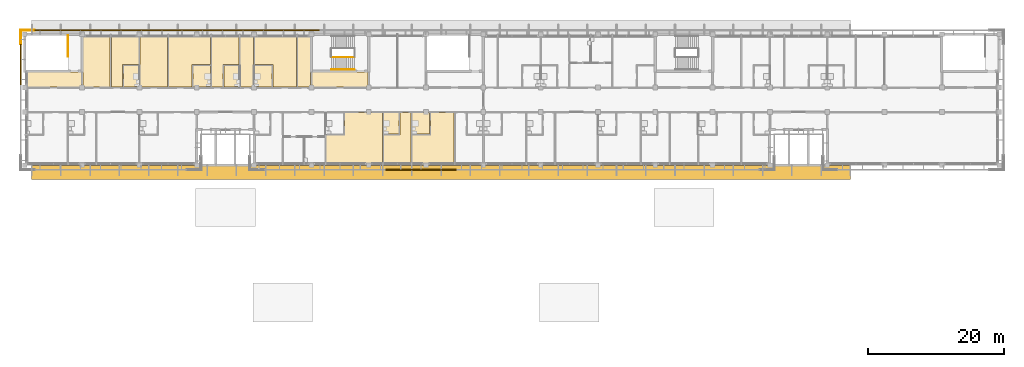
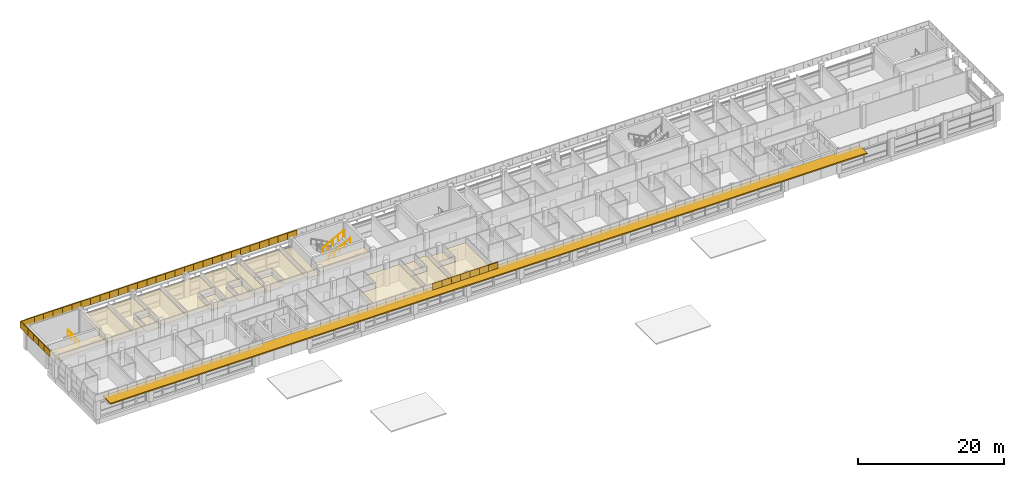
# One storey, part 31 of 36: 60 coverings, 3 railings, 1 shading device.
"""IFC4 building model written with IfcOpenShell, lengths in metres."""

from ifc_helpers import new_model, si_unit, direction, frame, origin, origin_2d, place, context, subcontext, project, spatial, polyline, circle, outline, extrude, material, layer, layer_set, type_object, element, save


model = new_model("IFC4")

# Units and contexts
model_context = context("Model", 3, precision=1e-05, world=origin(), true_north=direction((0.0, 1.0)))
body_context = subcontext(model_context, "Body", "Model", "MODEL_VIEW")
ifc_project = project(units=[si_unit("LENGTHUNIT", "METRE"), si_unit("AREAUNIT", "SQUARE_METRE"), si_unit("VOLUMEUNIT", "CUBIC_METRE"), si_unit("PLANEANGLEUNIT", "RADIAN"), si_unit("MASSUNIT", "GRAM", prefix="KILO")], contexts=[model_context])

# Site, building, storey
site_placement = place(None, origin())
site = spatial("IfcSite", under=ifc_project, at=site_placement, CompositionType="ELEMENT")
building_placement = place(site_placement, origin())
building = spatial("IfcBuilding", under=site, at=building_placement, Name="Bougainvillea Quay General Hospital", CompositionType="ELEMENT")
storey_placement = place(building_placement, frame((0.0, 0.0, 32.699951171875)))
storey = spatial("IfcBuildingStorey", under=building, at=storey_placement, Name="L07", CompositionType="ELEMENT", Elevation=32.699951171875)

# Coverings
ifc_material_1 = material(Name="Powder-coated aluminium fascia, white", Category="aluminium")
ifc_layer_1 = layer(ifc_material_1, 0.14990234375)
ifc_layer_set_1 = layer_set([ifc_layer_1], Name="Powder-coated aluminium fascia, white")
covering_type_1 = type_object("IfcCoveringType", Name="Aluminium fascia band white 150x1100", PredefinedType="CLADDING", material=ifc_layer_set_1)
covering_1_placement = place(storey_placement, frame((85.137451171875, 160.14990234375, 3.35009765625), z_axis=(0.0, 0.0, 1.0), x_axis=(-1.0, 0.0, 0.0)))
element("IfcCovering", 1, at=covering_1_placement, inside=storey, type_object=covering_type_1, Name="Fascia band white e0 68", PredefinedType="CLADDING", context=body_context, shape_type="SweptSolid", body=[
    extrude(outline(polyline([(0.0, 0.0), (1.487548828125, 0.0), (1.487548828125, -0.150146484375), (0.0, -0.150146484375), (0.0, 0.0)])), origin(), (0.0, 0.0, 1.0), 1.10009765625),
])
covering_2_placement = place(storey_placement, frame((83.64990234375, 160.14990234375, 3.35009765625), z_axis=(0.0, 0.0, 1.0), x_axis=(-1.0, 0.0, 0.0)))
element("IfcCovering", 2, at=covering_2_placement, inside=storey, type_object=covering_type_1, Name="Fascia band white e0 69", PredefinedType="CLADDING", context=body_context, shape_type="SweptSolid", body=[
    extrude(outline(polyline([(0.0, 0.0), (1.4873046875, 0.0), (1.4873046875, -0.150146484375), (0.0, -0.150146484375), (0.0, 0.0)])), origin(), (0.0, 0.0, 1.0), 1.10009765625),
])
for number, where, z_axis, x_axis, name in (
    (3, (82.16259765625, 160.14990234375, 3.35009765625), (0.0, 0.0, 1.0), (-1.0, 0.0, 0.0), "Fascia band white e0 70"),
    (4, (80.675048828125, 160.14990234375, 3.35009765625), (0.0, 0.0, 1.0), (-1.0, 0.0, 0.0), "Fascia band white e0 71"),
    (5, (79.1875, 160.14990234375, 3.35009765625), (0.0, 0.0, 1.0), (-1.0, 0.0, 0.0), "Fascia band white e0 72"),
    (6, (77.699951171875, 160.14990234375, 3.35009765625), (0.0, 0.0, 1.0), (-1.0, 0.0, 0.0), "Fascia band white e0 73"),
):
    element("IfcCovering", number, at=place(storey_placement, frame(where, z_axis=z_axis, x_axis=x_axis)), inside=storey, type_object=covering_type_1, Name=name, PredefinedType="CLADDING", context=body_context, shape_type="SweptSolid", body=[
        extrude(outline(polyline([(0.0, 0.0), (1.487548828125, 0.0), (1.487548828125, -0.150146484375), (0.0, -0.150146484375), (0.0, 0.0)])), origin(), (0.0, 0.0, 1.0), 1.10009765625),
    ])
covering_3_placement = place(storey_placement, frame((76.21240234375, 160.14990234375, 3.35009765625), z_axis=(0.0, 0.0, 1.0), x_axis=(-1.0, 0.0, 0.0)))
element("IfcCovering", 7, at=covering_3_placement, inside=storey, type_object=covering_type_1, Name="Fascia band white e0 74", PredefinedType="CLADDING", context=body_context, shape_type="SweptSolid", body=[
    extrude(outline(polyline([(0.0, 0.0), (1.4873046875, 0.0), (1.4873046875, -0.150146484375), (0.0, -0.150146484375), (0.0, 0.0)])), origin(), (0.0, 0.0, 1.0), 1.10009765625),
])
for number, where, z_axis, x_axis, name in (
    (8, (74.72509765625, 160.14990234375, 3.35009765625), (0.0, 0.0, 1.0), (-1.0, 0.0, 0.0), "Fascia band white e0 75"),
    (9, (73.237548828125, 160.14990234375, 3.35009765625), (0.0, 0.0, 1.0), (-1.0, 0.0, 0.0), "Fascia band white e0 76"),
    (10, (71.75, 160.14990234375, 3.35009765625), (0.0, 0.0, 1.0), (-1.0, 0.0, 0.0), "Fascia band white e0 77"),
    (11, (70.262451171875, 160.14990234375, 3.35009765625), (0.0, 0.0, 1.0), (-1.0, 0.0, 0.0), "Fascia band white e0 78"),
):
    element("IfcCovering", number, at=place(storey_placement, frame(where, z_axis=z_axis, x_axis=x_axis)), inside=storey, type_object=covering_type_1, Name=name, PredefinedType="CLADDING", context=body_context, shape_type="SweptSolid", body=[
        extrude(outline(polyline([(0.0, 0.0), (1.487548828125, 0.0), (1.487548828125, -0.150146484375), (0.0, -0.150146484375), (0.0, 0.0)])), origin(), (0.0, 0.0, 1.0), 1.10009765625),
    ])
covering_4_placement = place(storey_placement, frame((68.77490234375, 160.14990234375, 3.35009765625), z_axis=(0.0, 0.0, 1.0), x_axis=(-1.0, 0.0, 0.0)))
element("IfcCovering", 12, at=covering_4_placement, inside=storey, type_object=covering_type_1, Name="Fascia band white e0 79", PredefinedType="CLADDING", context=body_context, shape_type="SweptSolid", body=[
    extrude(outline(polyline([(0.0, 0.0), (1.4873046875, 0.0), (1.4873046875, -0.150146484375), (0.0, -0.150146484375), (0.0, 0.0)])), origin(), (0.0, 0.0, 1.0), 1.10009765625),
])
for number, where, z_axis, x_axis, name in (
    (13, (67.28759765625, 160.14990234375, 3.35009765625), (0.0, 0.0, 1.0), (-1.0, 0.0, 0.0), "Fascia band white e0 80"),
    (14, (65.800048828125, 160.14990234375, 3.35009765625), (0.0, 0.0, 1.0), (-1.0, 0.0, 0.0), "Fascia band white e0 81"),
    (15, (64.3125, 160.14990234375, 3.35009765625), (0.0, 0.0, 1.0), (-1.0, 0.0, 0.0), "Fascia band white e0 82"),
    (16, (62.824951171875, 160.14990234375, 3.35009765625), (0.0, 0.0, 1.0), (-1.0, 0.0, 0.0), "Fascia band white e0 83"),
):
    element("IfcCovering", number, at=place(storey_placement, frame(where, z_axis=z_axis, x_axis=x_axis)), inside=storey, type_object=covering_type_1, Name=name, PredefinedType="CLADDING", context=body_context, shape_type="SweptSolid", body=[
        extrude(outline(polyline([(0.0, 0.0), (1.487548828125, 0.0), (1.487548828125, -0.150146484375), (0.0, -0.150146484375), (0.0, 0.0)])), origin(), (0.0, 0.0, 1.0), 1.10009765625),
    ])
covering_5_placement = place(storey_placement, frame((61.33740234375, 160.14990234375, 3.35009765625), z_axis=(0.0, 0.0, 1.0), x_axis=(-1.0, 0.0, 0.0)))
element("IfcCovering", 17, at=covering_5_placement, inside=storey, type_object=covering_type_1, Name="Fascia band white e0 84", PredefinedType="CLADDING", context=body_context, shape_type="SweptSolid", body=[
    extrude(outline(polyline([(0.0, 0.0), (1.4873046875, 0.0), (1.4873046875, -0.150146484375), (0.0, -0.150146484375), (0.0, 0.0)])), origin(), (0.0, 0.0, 1.0), 1.10009765625),
])
for number, where, z_axis, x_axis, name in (
    (18, (59.85009765625, 160.14990234375, 3.35009765625), (0.0, 0.0, 1.0), (-1.0, 0.0, 0.0), "Fascia band white e0 85"),
    (19, (58.362548828125, 160.14990234375, 3.35009765625), (0.0, 0.0, 1.0), (-1.0, 0.0, 0.0), "Fascia band white e0 86"),
    (20, (56.875, 160.14990234375, 3.35009765625), (0.0, 0.0, 1.0), (-1.0, 0.0, 0.0), "Fascia band white e0 87"),
    (21, (55.387451171875, 160.14990234375, 3.35009765625), (0.0, 0.0, 1.0), (-1.0, 0.0, 0.0), "Fascia band white e0 88"),
):
    element("IfcCovering", number, at=place(storey_placement, frame(where, z_axis=z_axis, x_axis=x_axis)), inside=storey, type_object=covering_type_1, Name=name, PredefinedType="CLADDING", context=body_context, shape_type="SweptSolid", body=[
        extrude(outline(polyline([(0.0, 0.0), (1.487548828125, 0.0), (1.487548828125, -0.150146484375), (0.0, -0.150146484375), (0.0, 0.0)])), origin(), (0.0, 0.0, 1.0), 1.10009765625),
    ])
covering_6_placement = place(storey_placement, frame((53.89990234375, 160.14990234375, 3.35009765625), z_axis=(0.0, 0.0, 1.0), x_axis=(-1.0, 0.0, 0.0)))
element("IfcCovering", 22, at=covering_6_placement, inside=storey, type_object=covering_type_1, Name="Fascia band white e0 89", PredefinedType="CLADDING", context=body_context, shape_type="SweptSolid", body=[
    extrude(outline(polyline([(0.0, 0.0), (1.4873046875, 0.0), (1.4873046875, -0.150146484375), (0.0, -0.150146484375), (0.0, 0.0)])), origin(), (0.0, 0.0, 1.0), 1.10009765625),
])
for number, where, z_axis, x_axis, name in (
    (23, (52.41259765625, 160.14990234375, 3.35009765625), (0.0, 0.0, 1.0), (-1.0, 0.0, 0.0), "Fascia band white e0 90"),
    (24, (50.925048828125, 160.14990234375, 3.35009765625), (0.0, 0.0, 1.0), (-1.0, 0.0, 0.0), "Fascia band white e0 91"),
    (25, (49.4375, 160.14990234375, 3.35009765625), (0.0, 0.0, 1.0), (-1.0, 0.0, 0.0), "Fascia band white e0 92"),
    (26, (47.949951171875, 160.14990234375, 3.35009765625), (0.0, 0.0, 1.0), (-1.0, 0.0, 0.0), "Fascia band white e0 93"),
):
    element("IfcCovering", number, at=place(storey_placement, frame(where, z_axis=z_axis, x_axis=x_axis)), inside=storey, type_object=covering_type_1, Name=name, PredefinedType="CLADDING", context=body_context, shape_type="SweptSolid", body=[
        extrude(outline(polyline([(0.0, 0.0), (1.487548828125, 0.0), (1.487548828125, -0.150146484375), (0.0, -0.150146484375), (0.0, 0.0)])), origin(), (0.0, 0.0, 1.0), 1.10009765625),
    ])
covering_7_placement = place(storey_placement, frame((46.46240234375, 160.14990234375, 3.35009765625), z_axis=(0.0, 0.0, 1.0), x_axis=(-1.0, 0.0, 0.0)))
element("IfcCovering", 27, at=covering_7_placement, inside=storey, type_object=covering_type_1, Name="Fascia band white e0 94", PredefinedType="CLADDING", context=body_context, shape_type="SweptSolid", body=[
    extrude(outline(polyline([(0.0, 0.0), (1.4873046875, 0.0), (1.4873046875, -0.150146484375), (0.0, -0.150146484375), (0.0, 0.0)])), origin(), (0.0, 0.0, 1.0), 1.10009765625),
])
covering_8_placement = place(storey_placement, frame((44.97509765625, 160.14990234375, 3.35009765625), z_axis=(0.0, 0.0, 1.0), x_axis=(-1.0, 0.0, 0.0)))
element("IfcCovering", 28, at=covering_8_placement, inside=storey, type_object=covering_type_1, Name="Fascia band white e0 95", PredefinedType="CLADDING", context=body_context, shape_type="SweptSolid", body=[
    extrude(outline(polyline([(0.0, 0.0), (1.487548828125, 0.0), (1.487548828125, -0.150146484375), (0.0, -0.150146484375), (0.0, 0.0)])), origin(), (0.0, 0.0, 1.0), 1.10009765625),
])
covering_9_placement = place(storey_placement, frame((43.487548828125, 160.14990234375, 3.35009765625), z_axis=(0.0, 0.0, 1.0), x_axis=(-1.0, 0.0, 0.0)))
element("IfcCovering", 29, at=covering_9_placement, inside=storey, type_object=covering_type_1, Name="Fascia band white e0 96", PredefinedType="CLADDING", context=body_context, shape_type="SweptSolid", body=[
    extrude(outline(polyline([(0.0, 0.0), (2.03759765625, 0.0), (2.1875, -0.150146484375), (0.0, -0.150146484375), (0.0, 0.0)])), origin(), (0.0, 0.0, 1.0), 1.10009765625),
])
covering_10_placement = place(storey_placement, frame((41.449951171875, 160.14990234375, 3.35009765625), z_axis=(0.0, 0.0, 1.0), x_axis=(0.0, -1.0, 0.0)))
element("IfcCovering", 30, at=covering_10_placement, inside=storey, type_object=covering_type_1, Name="Fascia band white e0 97", PredefinedType="CLADDING", context=body_context, shape_type="SweptSolid", body=[
    extrude(outline(polyline([(0.0, 0.0), (2.02685546875, 0.0), (2.02685546875, -0.14990234375), (-0.150146484375, -0.14990234375), (0.0, 0.0)])), origin(), (0.0, 0.0, 1.0), 1.10009765625),
])
covering_11_placement = place(storey_placement, frame((41.449951171875, 158.123046875, 3.35009765625), z_axis=(0.0, 0.0, 1.0), x_axis=(0.0, -1.0, 0.0)))
element("IfcCovering", 31, at=covering_11_placement, inside=storey, type_object=covering_type_1, Name="Fascia band white e0 98", PredefinedType="CLADDING", context=body_context, shape_type="SweptSolid", body=[
    extrude(outline(polyline([(0.0, 0.0), (1.476806640625, 0.0), (1.476806640625, -0.14990234375), (0.0, -0.14990234375), (0.0, 0.0)])), origin(), (0.0, 0.0, 1.0), 1.10009765625),
])
covering_12_placement = place(storey_placement, frame((41.449951171875, 156.646240234375, 3.35009765625), z_axis=(0.0, 0.0, 1.0), x_axis=(0.0, -1.0, 0.0)))
element("IfcCovering", 32, at=covering_12_placement, inside=storey, type_object=covering_type_1, Name="Fascia band white e0 99", PredefinedType="CLADDING", context=body_context, shape_type="SweptSolid", body=[
    extrude(outline(polyline([(0.0, 0.0), (1.47705078125, 0.0), (1.47705078125, -0.14990234375), (0.0, -0.14990234375), (0.0, 0.0)])), origin(), (0.0, 0.0, 1.0), 1.10009765625),
])
covering_13_placement = place(storey_placement, frame((41.449951171875, 155.169189453125, 3.35009765625), z_axis=(0.0, 0.0, 1.0), x_axis=(0.0, -1.0, 0.0)))
element("IfcCovering", 33, at=covering_13_placement, inside=storey, type_object=covering_type_1, Name="Fascia band white e0 100", PredefinedType="CLADDING", context=body_context, shape_type="SweptSolid", body=[
    extrude(outline(polyline([(0.0, 0.0), (1.476806640625, 0.0), (1.476806640625, -0.14990234375), (0.0, -0.14990234375), (0.0, 0.0)])), origin(), (0.0, 0.0, 1.0), 1.10009765625),
])
covering_14_placement = place(storey_placement, frame((41.449951171875, 153.6923828125, 3.35009765625), z_axis=(0.0, 0.0, 1.0), x_axis=(0.0, -1.0, 0.0)))
element("IfcCovering", 34, at=covering_14_placement, inside=storey, type_object=covering_type_1, Name="Fascia band white e0 101", PredefinedType="CLADDING", context=body_context, shape_type="SweptSolid", body=[
    extrude(outline(polyline([(0.0, 0.0), (1.47705078125, 0.0), (1.47705078125, -0.14990234375), (0.0, -0.14990234375), (0.0, 0.0)])), origin(), (0.0, 0.0, 1.0), 1.10009765625),
])
covering_15_placement = place(storey_placement, frame((94.87060546875, 139.85009765625, 3.35009765625), z_axis=(0.0, 0.0, 1.0), x_axis=(1.0, 0.0, 0.0)))
element("IfcCovering", 35, at=covering_15_placement, inside=storey, type_object=covering_type_1, Name="Fascia band white e0 154", PredefinedType="CLADDING", context=body_context, shape_type="SweptSolid", body=[
    extrude(outline(polyline([(0.0, 0.0), (1.482421875, 0.0), (1.482421875, -0.150146484375), (0.0, -0.150146484375), (0.0, 0.0)])), origin(), (0.0, 0.0, 1.0), 1.10009765625),
])
covering_16_placement = place(storey_placement, frame((96.35302734375, 139.85009765625, 3.35009765625), z_axis=(0.0, 0.0, 1.0), x_axis=(1.0, 0.0, 0.0)))
element("IfcCovering", 36, at=covering_16_placement, inside=storey, type_object=covering_type_1, Name="Fascia band white e0 155", PredefinedType="CLADDING", context=body_context, shape_type="SweptSolid", body=[
    extrude(outline(polyline([(0.0, 0.0), (1.482177734375, 0.0), (1.482177734375, -0.150146484375), (0.0, -0.150146484375), (0.0, 0.0)])), origin(), (0.0, 0.0, 1.0), 1.10009765625),
])
for number, where, z_axis, x_axis, name in (
    (37, (97.835205078125, 139.85009765625, 3.35009765625), (0.0, 0.0, 1.0), (1.0, 0.0, 0.0), "Fascia band white e0 156"),
    (38, (99.317626953125, 139.85009765625, 3.35009765625), (0.0, 0.0, 1.0), (1.0, 0.0, 0.0), "Fascia band white e0 157"),
    (39, (100.800048828125, 139.85009765625, 3.35009765625), (0.0, 0.0, 1.0), (1.0, 0.0, 0.0), "Fascia band white e0 158"),
):
    element("IfcCovering", number, at=place(storey_placement, frame(where, z_axis=z_axis, x_axis=x_axis)), inside=storey, type_object=covering_type_1, Name=name, PredefinedType="CLADDING", context=body_context, shape_type="SweptSolid", body=[
        extrude(outline(polyline([(0.0, 0.0), (1.482421875, 0.0), (1.482421875, -0.150146484375), (0.0, -0.150146484375), (0.0, 0.0)])), origin(), (0.0, 0.0, 1.0), 1.10009765625),
    ])
covering_17_placement = place(storey_placement, frame((102.282470703125, 139.85009765625, 3.35009765625), z_axis=(0.0, 0.0, 1.0), x_axis=(1.0, 0.0, 0.0)))
element("IfcCovering", 40, at=covering_17_placement, inside=storey, type_object=covering_type_1, Name="Fascia band white e0 159", PredefinedType="CLADDING", context=body_context, shape_type="SweptSolid", body=[
    extrude(outline(polyline([(0.0, 0.0), (1.482177734375, 0.0), (1.482177734375, -0.150146484375), (0.0, -0.150146484375), (0.0, 0.0)])), origin(), (0.0, 0.0, 1.0), 1.10009765625),
])
covering_18_placement = place(storey_placement, frame((103.7646484375, 139.85009765625, 3.35009765625), z_axis=(0.0, 0.0, 1.0), x_axis=(1.0, 0.0, 0.0)))
element("IfcCovering", 41, at=covering_18_placement, inside=storey, type_object=covering_type_1, Name="Fascia band white e0 160", PredefinedType="CLADDING", context=body_context, shape_type="SweptSolid", body=[
    extrude(outline(polyline([(0.0, 0.0), (1.482421875, 0.0), (1.482421875, -0.150146484375), (0.0, -0.150146484375), (0.0, 0.0)])), origin(), (0.0, 0.0, 1.0), 1.10009765625),
])

# Shading device
ifc_material_2 = material(Name="Powder-coated aluminium canopy soffit and fascia, white", Category="aluminium")
ifc_layer_2 = layer(ifc_material_2, 0.199951171875)
ifc_layer_set_2 = layer_set([ifc_layer_2], Name="Powder-coated aluminium canopy soffit and fascia, white")
shading_device_type = type_object("IfcShadingDeviceType", Name="Deep eave canopy 200", PredefinedType="AWNING", material=ifc_layer_set_2)
shading_device_placement = place(storey_placement, frame((0.0, 0.0, 3.199951171875)))
element("IfcShadingDevice", 42, at=shading_device_placement, inside=storey, type_object=shading_device_type, Name="Deep eave canopy S", PredefinedType="AWNING", context=body_context, shape_type="SweptSolid", body=[
    extrude(outline(polyline([(43.0, 140.39990234375), (163.0, 140.39990234375), (163.0, 138.300048828125), (43.0, 138.300048828125), (43.0, 140.39990234375)])), origin(), (0.0, 0.0, 1.0), 0.2001953125),
])

# Railings
ifc_material_3 = material(Name="Stainless steel 304 balustrade", Category="steel")
railing_type_1 = type_object("IfcRailingType", Name="Stair guard 1100", PredefinedType="GUARDRAIL", material=ifc_material_3)
railing_1_placement = place(storey_placement, frame((48.35009765625, 159.425048828125, 0.0)))
element("IfcRailing", 43, at=railing_1_placement, inside=storey, type_object=railing_type_1, Name="L07 ST-A1 top well guard 1", PredefinedType="GUARDRAIL", context=body_context, shape_type="SweptSolid", body=[
    extrude(circle(Radius=0.02392578125, at=origin_2d()), frame((0.0, 0.0, 1.076171875), z_axis=(0.0, -1.0, 0.0), x_axis=(1.0, 0.0, 0.0)), (0.0, 0.0, 1.0), 3.125),
    extrude(circle(Radius=0.02099609375, at=origin_2d()), origin(), (0.0, 0.0, 1.0), 1.052001953125),
    extrude(circle(Radius=0.02099609375, at=origin_2d()), frame((0.0, -1.041748046875, 0.0)), (0.0, 0.0, 1.0), 1.052001953125),
    extrude(circle(Radius=0.02099609375, at=origin_2d()), frame((0.0, -2.083251953125, 0.0)), (0.0, 0.0, 1.0), 1.052001953125),
    extrude(circle(Radius=0.02099609375, at=origin_2d()), frame((0.0, -3.125, 0.0)), (0.0, 0.0, 1.0), 1.052001953125),
])
railing_2_placement = place(storey_placement, frame((86.93994140625, 156.25, 2.10009765625)))
element("IfcRailing", 44, at=railing_2_placement, inside=storey, type_object=railing_type_1, Name="L07 ST-A2 stair guard 3", PredefinedType="GUARDRAIL", context=body_context, shape_type="SweptSolid", body=[
    extrude(circle(Radius=0.02392578125, at=origin_2d()), frame((0.0, 0.0, 1.076171875), z_axis=(0.881480922165, 0.0, 0.47221963519), x_axis=(0.0, 1.0, 0.0)), (0.0, 0.0, 1.0), 3.811767578125),
    extrude(circle(Radius=0.02099609375, at=origin_2d()), origin(), (0.0, 0.0, 1.0), 1.052001953125),
    extrude(circle(Radius=0.02099609375, at=origin_2d()), frame((0.840087890625, 0.0, 0.449951171875)), (0.0, 0.0, 1.0), 1.052001953125),
    extrude(circle(Radius=0.02099609375, at=origin_2d()), frame((1.68017578125, 0.0, 0.89990234375)), (0.0, 0.0, 1.0), 1.052001953125),
    extrude(circle(Radius=0.02099609375, at=origin_2d()), frame((2.52001953125, 0.0, 1.35009765625)), (0.0, 0.0, 1.0), 1.052001953125),
    extrude(circle(Radius=0.02099609375, at=origin_2d()), frame((3.360107421875, 0.0, 1.800048828125)), (0.0, 0.0, 1.0), 1.052001953125),
])
ifc_material_4 = material(Name="Stainless steel 304 handrail", Category="steel")
railing_type_2 = type_object("IfcRailingType", Name="Stair handrail 900", PredefinedType="HANDRAIL", material=ifc_material_4)
railing_3_placement = place(storey_placement, frame((86.93994140625, 154.425048828125, 2.10009765625)))
element("IfcRailing", 45, at=railing_3_placement, inside=storey, type_object=railing_type_2, Name="L07 ST-A2 stair handrail 2", PredefinedType="HANDRAIL", context=body_context, shape_type="SweptSolid", body=[
    extrude(circle(Radius=0.02392578125, at=origin_2d()), frame((0.0, 0.0, 0.8759765625), z_axis=(0.881480922165, 0.0, 0.47221963519), x_axis=(0.0, 1.0, 0.0)), (0.0, 0.0, 1.0), 3.811767578125),
    extrude(circle(Radius=0.02099609375, at=origin_2d()), origin(), (0.0, 0.0, 1.0), 0.851806640625),
    extrude(circle(Radius=0.02099609375, at=origin_2d()), frame((0.840087890625, 0.0, 0.449951171875)), (0.0, 0.0, 1.0), 0.851806640625),
    extrude(circle(Radius=0.02099609375, at=origin_2d()), frame((1.68017578125, 0.0, 0.89990234375)), (0.0, 0.0, 1.0), 0.851806640625),
    extrude(circle(Radius=0.02099609375, at=origin_2d()), frame((2.52001953125, 0.0, 1.35009765625)), (0.0, 0.0, 1.0), 0.851806640625),
    extrude(circle(Radius=0.02099609375, at=origin_2d()), frame((3.360107421875, 0.0, 1.800048828125)), (0.0, 0.0, 1.0), 0.851806640625),
])

# Coverings
ifc_material_5 = material(Name="Mineral fibre ceiling tile")
ifc_layer_3 = layer(ifc_material_5, 0.030029296875)
ifc_layer_set_3 = layer_set([ifc_layer_3], Name="Mineral fibre ceiling tile")
covering_type_2 = type_object("IfcCoveringType", Name="Suspended ceiling mineral fibre tile", PredefinedType="CEILING", material=ifc_layer_set_3)
covering_19_placement = place(storey_placement, frame((0.0, 0.0, 2.699951171875)))
element("IfcCovering", 46, at=covering_19_placement, inside=storey, type_object=covering_type_2, Name="Ceiling Refuge Room RR-A1-L07", PredefinedType="CEILING", context=body_context, shape_type="SweptSolid", body=[
    extrude(outline(polyline([(50.5, 159.60009765625), (50.5, 151.89990234375), (54.5, 151.89990234375), (54.5, 159.60009765625), (50.5, 159.60009765625)])), origin(), (0.0, 0.0, 1.0), 0.030029296875),
])
covering_20_placement = place(storey_placement, frame((0.0, 0.0, 2.699951171875)))
element("IfcCovering", 47, at=covering_20_placement, inside=storey, type_object=covering_type_2, Name="Ceiling Smoke-proof Vestibule ST-A1", PredefinedType="CEILING", context=body_context, shape_type="SweptSolid", body=[
    extrude(outline(polyline([(42.0, 151.89990234375), (50.300048828125, 151.89990234375), (50.300048828125, 154.10009765625), (42.0, 154.10009765625), (42.0, 151.89990234375)])), origin(), (0.0, 0.0, 1.0), 0.030029296875),
])
covering_21_placement = place(storey_placement, frame((0.0, 0.0, 2.699951171875)))
element("IfcCovering", 48, at=covering_21_placement, inside=storey, type_object=covering_type_2, Name="Ceiling Smoke-proof Vestibule ST-A2", PredefinedType="CEILING", context=body_context, shape_type="SweptSolid", body=[
    extrude(outline(polyline([(84.10009765625, 154.10009765625), (84.10009765625, 151.89990234375), (92.300048828125, 151.89990234375), (92.300048828125, 154.10009765625), (84.10009765625, 154.10009765625)])), origin(), (0.0, 0.0, 1.0), 0.030029296875),
])
covering_22_placement = place(storey_placement, frame((0.0, 0.0, 2.699951171875)))
element("IfcCovering", 49, at=covering_22_placement, inside=storey, type_object=covering_type_2, Name="Ceiling High Dependency Room 07A05", PredefinedType="CEILING", context=body_context, shape_type="SweptSolid", body=[
    extrude(outline(polyline([(54.699951171875, 159.60009765625), (54.699951171875, 151.875), (56.324951171875, 151.875), (56.324951171875, 155.175048828125), (58.72509765625, 155.175048828125), (58.72509765625, 159.60009765625), (54.699951171875, 159.60009765625)])), origin(), (0.0, 0.0, 1.0), 0.030029296875),
])
covering_23_placement = place(storey_placement, frame((0.0, 0.0, 2.400146484375)))
element("IfcCovering", 50, at=covering_23_placement, inside=storey, type_object=covering_type_2, Name="Ceiling En-suite 07A05", PredefinedType="CEILING", context=body_context, shape_type="SweptSolid", body=[
    extrude(outline(polyline([(58.75, 155.02490234375), (56.47509765625, 155.02490234375), (56.47509765625, 151.875), (58.75, 151.875), (58.75, 155.02490234375)])), origin(), (0.0, 0.0, 1.0), 0.02978515625),
])
covering_24_placement = place(storey_placement, frame((0.0, 0.0, 2.699951171875)))
element("IfcCovering", 51, at=covering_24_placement, inside=storey, type_object=covering_type_2, Name="Ceiling Treatment and Clean Utility Room 07A06", PredefinedType="CEILING", context=body_context, shape_type="SweptSolid", body=[
    extrude(outline(polyline([(58.875, 159.60009765625), (58.875, 155.02490234375), (58.85009765625, 155.02490234375), (58.85009765625, 151.875), (62.925048828125, 151.875), (62.925048828125, 159.60009765625), (58.875, 159.60009765625)])), origin(), (0.0, 0.0, 1.0), 0.030029296875),
])
covering_25_placement = place(storey_placement, frame((0.0, 0.0, 2.699951171875)))
element("IfcCovering", 52, at=covering_25_placement, inside=storey, type_object=covering_type_2, Name="Ceiling Step-down Bay Room 07A07", PredefinedType="CEILING", context=body_context, shape_type="SweptSolid", body=[
    extrude(outline(polyline([(63.074951171875, 159.60009765625), (63.074951171875, 151.875), (66.52490234375, 151.875), (66.52490234375, 155.175048828125), (69.22509765625, 155.175048828125), (69.22509765625, 159.60009765625), (63.074951171875, 159.60009765625)])), origin(), (0.0, 0.0, 1.0), 0.030029296875),
])
covering_26_placement = place(storey_placement, frame((0.0, 0.0, 2.400146484375)))
element("IfcCovering", 53, at=covering_26_placement, inside=storey, type_object=covering_type_2, Name="Ceiling En-suite 07A07", PredefinedType="CEILING", context=body_context, shape_type="SweptSolid", body=[
    extrude(outline(polyline([(69.22509765625, 155.02490234375), (66.675048828125, 155.02490234375), (66.675048828125, 151.875), (69.22509765625, 151.875), (69.22509765625, 155.02490234375)])), origin(), (0.0, 0.0, 1.0), 0.02978515625),
])
covering_27_placement = place(storey_placement, frame((0.0, 0.0, 2.699951171875)))
element("IfcCovering", 54, at=covering_27_placement, inside=storey, type_object=covering_type_2, Name="Ceiling High Dependency Room 07A08", PredefinedType="CEILING", context=body_context, shape_type="SweptSolid", body=[
    extrude(outline(polyline([(69.375, 159.60009765625), (69.375, 151.875), (71.02490234375, 151.875), (71.02490234375, 155.175048828125), (73.425048828125, 155.175048828125), (73.425048828125, 159.60009765625), (69.375, 159.60009765625)])), origin(), (0.0, 0.0, 1.0), 0.030029296875),
])
covering_28_placement = place(storey_placement, frame((0.0, 0.0, 2.400146484375)))
element("IfcCovering", 55, at=covering_28_placement, inside=storey, type_object=covering_type_2, Name="Ceiling En-suite 07A08", PredefinedType="CEILING", context=body_context, shape_type="SweptSolid", body=[
    extrude(outline(polyline([(71.175048828125, 155.02490234375), (71.175048828125, 151.875), (73.449951171875, 151.875), (73.449951171875, 155.02490234375), (71.175048828125, 155.02490234375)])), origin(), (0.0, 0.0, 1.0), 0.02978515625),
])
covering_29_placement = place(storey_placement, frame((0.0, 0.0, 2.699951171875)))
element("IfcCovering", 56, at=covering_29_placement, inside=storey, type_object=covering_type_2, Name="Ceiling Dirty Utility and Sluice Room 07A09", PredefinedType="CEILING", context=body_context, shape_type="SweptSolid", body=[
    extrude(outline(polyline([(73.574951171875, 159.60009765625), (73.574951171875, 155.02490234375), (73.550048828125, 155.02490234375), (73.550048828125, 151.875), (75.550048828125, 151.875), (75.550048828125, 155.02490234375), (75.52490234375, 155.02490234375), (75.52490234375, 159.60009765625), (73.574951171875, 159.60009765625)])), origin(), (0.0, 0.0, 1.0), 0.030029296875),
])
covering_30_placement = place(storey_placement, frame((0.0, 0.0, 2.699951171875)))
element("IfcCovering", 57, at=covering_30_placement, inside=storey, type_object=covering_type_2, Name="Ceiling Step-down Bay Room 07A10", PredefinedType="CEILING", context=body_context, shape_type="SweptSolid", body=[
    extrude(outline(polyline([(75.675048828125, 159.60009765625), (75.675048828125, 155.175048828125), (78.375, 155.175048828125), (78.375, 151.875), (81.824951171875, 151.875), (81.824951171875, 159.60009765625), (75.675048828125, 159.60009765625)])), origin(), (0.0, 0.0, 1.0), 0.030029296875),
])
covering_31_placement = place(storey_placement, frame((0.0, 0.0, 2.400146484375)))
element("IfcCovering", 58, at=covering_31_placement, inside=storey, type_object=covering_type_2, Name="Ceiling En-suite 07A10", PredefinedType="CEILING", context=body_context, shape_type="SweptSolid", body=[
    extrude(outline(polyline([(78.22509765625, 155.02490234375), (75.64990234375, 155.02490234375), (75.64990234375, 151.875), (78.22509765625, 151.875), (78.22509765625, 155.02490234375)])), origin(), (0.0, 0.0, 1.0), 0.02978515625),
])
covering_32_placement = place(storey_placement, frame((0.0, 0.0, 2.400146484375)))
element("IfcCovering", 59, at=covering_32_placement, inside=storey, type_object=covering_type_2, Name="Ceiling Cleaners' Store 07A11", PredefinedType="CEILING", context=body_context, shape_type="SweptSolid", body=[
    extrude(outline(polyline([(81.97509765625, 159.60009765625), (81.97509765625, 151.875), (83.89990234375, 151.875), (83.89990234375, 154.300048828125), (83.949951171875, 154.300048828125), (83.949951171875, 159.60009765625), (81.97509765625, 159.60009765625)])), origin(), (0.0, 0.0, 1.0), 0.02978515625),
])
covering_33_placement = place(storey_placement, frame((0.0, 0.0, 2.699951171875)))
element("IfcCovering", 60, at=covering_33_placement, inside=storey, type_object=covering_type_2, Name="Ceiling Step-down Ward Room 07A14", PredefinedType="CEILING", context=body_context, shape_type="SweptSolid", body=[
    extrude(outline(polyline([(94.425048828125, 140.39990234375), (94.425048828125, 148.125), (88.875, 148.125), (88.875, 144.824951171875), (86.175048828125, 144.824951171875), (86.175048828125, 140.39990234375), (94.425048828125, 140.39990234375)])), origin(), (0.0, 0.0, 1.0), 0.030029296875),
])
covering_34_placement = place(storey_placement, frame((0.0, 0.0, 2.699951171875)))
element("IfcCovering", 61, at=covering_34_placement, inside=storey, type_object=covering_type_2, Name="Ceiling High Dependency Room 07A15", PredefinedType="CEILING", context=body_context, shape_type="SweptSolid", body=[
    extrude(outline(polyline([(98.625, 140.39990234375), (98.625, 148.125), (96.97509765625, 148.125), (96.97509765625, 144.824951171875), (94.574951171875, 144.824951171875), (94.574951171875, 140.39990234375), (98.625, 140.39990234375)])), origin(), (0.0, 0.0, 1.0), 0.030029296875),
])
covering_35_placement = place(storey_placement, frame((0.0, 0.0, 2.400146484375)))
element("IfcCovering", 62, at=covering_35_placement, inside=storey, type_object=covering_type_2, Name="Ceiling En-suite 07A15", PredefinedType="CEILING", context=body_context, shape_type="SweptSolid", body=[
    extrude(outline(polyline([(94.574951171875, 148.125), (94.574951171875, 144.97509765625), (96.824951171875, 144.97509765625), (96.824951171875, 148.125), (94.574951171875, 148.125)])), origin(), (0.0, 0.0, 1.0), 0.02978515625),
])
covering_36_placement = place(storey_placement, frame((0.0, 0.0, 2.699951171875)))
element("IfcCovering", 63, at=covering_36_placement, inside=storey, type_object=covering_type_2, Name="Ceiling Step-down Bay Room 07A16", PredefinedType="CEILING", context=body_context, shape_type="SweptSolid", body=[
    extrude(outline(polyline([(104.925048828125, 140.39990234375), (104.925048828125, 148.125), (101.47509765625, 148.125), (101.47509765625, 144.824951171875), (98.77490234375, 144.824951171875), (98.77490234375, 140.39990234375), (104.925048828125, 140.39990234375)])), origin(), (0.0, 0.0, 1.0), 0.030029296875),
])
covering_37_placement = place(storey_placement, frame((0.0, 0.0, 2.400146484375)))
element("IfcCovering", 64, at=covering_37_placement, inside=storey, type_object=covering_type_2, Name="Ceiling En-suite 07A16", PredefinedType="CEILING", context=body_context, shape_type="SweptSolid", body=[
    extrude(outline(polyline([(98.77490234375, 148.125), (98.77490234375, 144.97509765625), (101.324951171875, 144.97509765625), (101.324951171875, 148.125), (98.77490234375, 148.125)])), origin(), (0.0, 0.0, 1.0), 0.02978515625),
])

save(model, "model.ifc")
